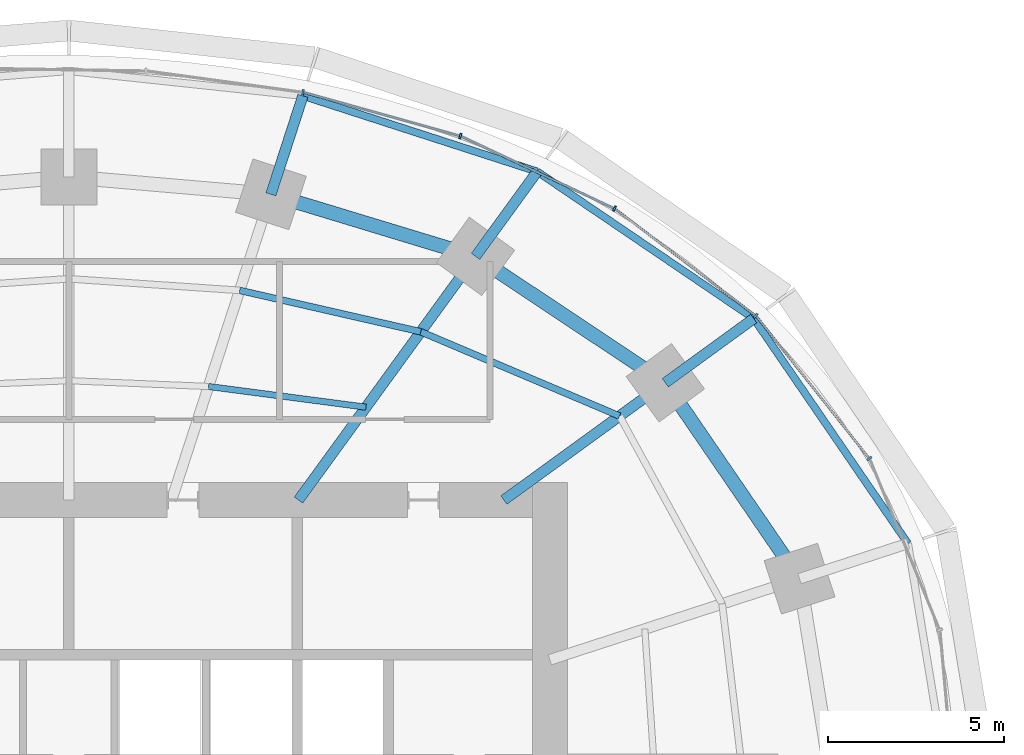
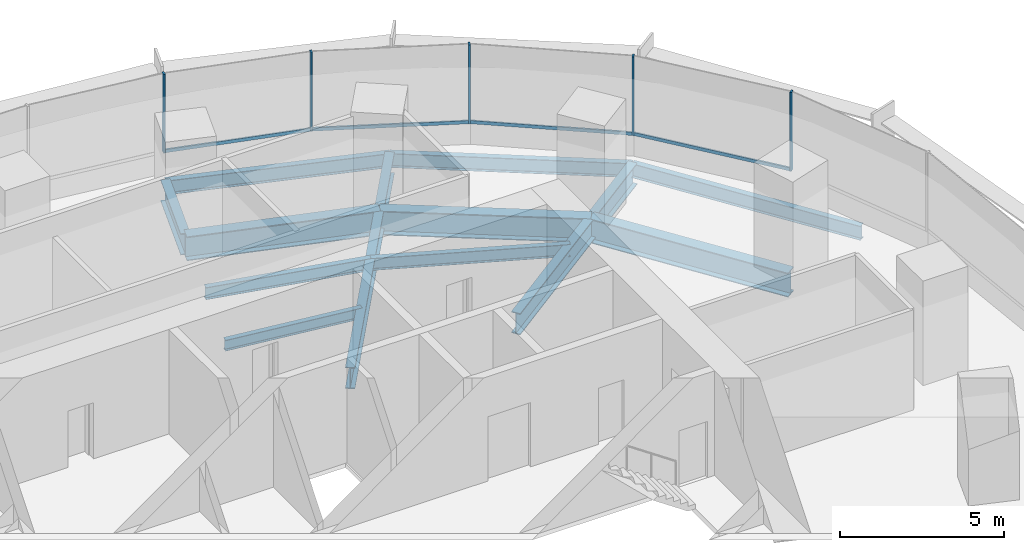
# One storey, part 8 of 14: 14 beams, 9 members, 2 elements without a shape of their own.
"""IFC4 building model written with IfcOpenShell, lengths in metres."""

from ifc_helpers import new_model, si_unit, direction, frame, origin, origin_2d, place, context, subcontext, project, spatial, rectangle, i_section, extrude, material, material_profile, profile_set, type_object, element, aggregate, save


model = new_model("IFC4")

# Units and contexts
model_context = context("Model", 3, precision=1e-05, world=origin(), true_north=direction((0.0, 1.0)))
body_context = subcontext(model_context, "Body", "Model", "MODEL_VIEW")
ifc_project = project(units=[si_unit("LENGTHUNIT", "METRE"), si_unit("AREAUNIT", "SQUARE_METRE"), si_unit("VOLUMEUNIT", "CUBIC_METRE"), si_unit("PLANEANGLEUNIT", "RADIAN"), si_unit("MASSUNIT", "GRAM", prefix="KILO")], contexts=[model_context])

# Site, building, storey
site_placement = place(None, origin())
site = spatial("IfcSite", under=ifc_project, at=site_placement, CompositionType="ELEMENT")
building_placement = place(site_placement, origin())
building = spatial("IfcBuilding", under=site, at=building_placement, Name="Marramba Exchange Tower", CompositionType="ELEMENT")
storey_placement = place(building_placement, frame((0.0, 0.0, 158.699951171875)))
storey = spatial("IfcBuildingStorey", under=building, at=storey_placement, Name="L38", CompositionType="ELEMENT", Elevation=158.699951171875)

# Beams
ifc_material_1 = material(Name="Steel AS/NZS 3679.2 grade 300", Category="steel")
ifc_material_profile_1 = material_profile(ifc_material_1, i_section(OverallWidth=0.300048828125, OverallDepth=0.800048828125, WebThickness=0.013916015625, FlangeThickness=0.031982421875, at=origin_2d()), Name="800WB192")
ifc_profile_set_1 = profile_set([ifc_material_profile_1], Name="Steel AS/NZS 3679.2 grade 300")
beam_type_1 = type_object("IfcBeamType", Name="Cantilever girder 800WB192", PredefinedType="BEAM", material=ifc_profile_set_1)
beam_1_placement = place(storey_placement, frame((16.98583984375, 12.3408203125, -0.56005859375), z_axis=(0.809013970709, 0.58778941399, 0.0), x_axis=(-0.58778941399, 0.809013970709, 0.0)))
element("IfcBeam", 1, at=beam_1_placement, inside=storey, type_object=beam_type_1, Name="Cantilever girder L38 TC03", PredefinedType="BEAM", context=body_context, shape_type="SweptSolid", body=[
    extrude(i_section(OverallWidth=0.300048828125, OverallDepth=0.800048828125, WebThickness=0.013916015625, FlangeThickness=0.031982421875, at=origin_2d()), origin(), (0.0, 0.0, 1.0), 3.1142578125),
])
beam_2_placement = place(storey_placement, frame((11.581298828125, 15.9404296875, -0.56005859375), z_axis=(0.587821738214, 0.808990484544, 0.0), x_axis=(-0.808990484544, 0.587821738214, 0.0)))
element("IfcBeam", 2, at=beam_2_placement, inside=storey, type_object=beam_type_1, Name="Cantilever girder L38 TC04", PredefinedType="BEAM", context=body_context, shape_type="SweptSolid", body=[
    extrude(i_section(OverallWidth=0.300048828125, OverallDepth=0.800048828125, WebThickness=0.013916015625, FlangeThickness=0.031982421875, at=origin_2d()), origin(), (0.0, 0.0, 1.0), 2.987060546875),
])
beam_3_placement = place(storey_placement, frame((5.75390625, 17.70849609375, -0.56005859375), z_axis=(0.309018704887, 0.951055960514, 0.0), x_axis=(-0.951055960514, 0.309018704887, 0.0)))
element("IfcBeam", 3, at=beam_3_placement, inside=storey, type_object=beam_type_1, Name="Cantilever girder L38 TC05", PredefinedType="BEAM", context=body_context, shape_type="SweptSolid", body=[
    extrude(i_section(OverallWidth=0.300048828125, OverallDepth=0.800048828125, WebThickness=0.013916015625, FlangeThickness=0.031982421875, at=origin_2d()), origin(), (0.0, 0.0, 1.0), 2.949951171875),
])
ifc_material_2 = material(Name="Steel AS/NZS 3679.1 grade 300", Category="steel")
ifc_material_profile_2 = material_profile(ifc_material_2, i_section(OverallWidth=0.177978515625, OverallDepth=0.406005859375, WebThickness=0.0078125, FlangeThickness=0.0126953125, FilletRadius=0.011474609375, at=origin_2d()), Name="410UB59.7")
ifc_profile_set_2 = profile_set([ifc_material_profile_2], Name="Steel AS/NZS 3679.1 grade 300")
beam_type_2 = type_object("IfcBeamType", Name="Floor joist 410UB59.7", PredefinedType="JOIST", material=ifc_profile_set_2)
beam_4_placement = place(storey_placement, frame((8.4619140625, 11.646728515625, -0.363037109375), z_axis=(-0.991480538255, 0.130254912618, 0.0), x_axis=(-0.130254912618, -0.991480538255, 0.0)))
element("IfcBeam", 4, at=beam_4_placement, inside=storey, type_object=beam_type_2, Name="Joist L38 bay 04 row 1", PredefinedType="JOIST", context=body_context, shape_type="SweptSolid", body=[
    extrude(i_section(OverallWidth=0.177978515625, OverallDepth=0.406005859375, WebThickness=0.0078125, FlangeThickness=0.0126953125, FilletRadius=0.011474609375, at=origin_2d()), origin(), (0.0, 0.0, 1.0), 4.524658203125),
])
ifc_material_profile_3 = material_profile(ifc_material_2, i_section(OverallWidth=0.18994140625, OverallDepth=0.4541015625, WebThickness=0.008544921875, FlangeThickness=0.0126953125, FilletRadius=0.011474609375, at=origin_2d()), Name="460UB67.1")
ifc_profile_set_3 = profile_set([ifc_material_profile_3], Name="Steel AS/NZS 3679.1 grade 300")
beam_type_3 = type_object("IfcBeamType", Name="Floor joist 460UB67.1", PredefinedType="JOIST", material=ifc_profile_set_3)
beam_5_placement = place(storey_placement, frame((15.682373046875, 11.393798828125, -0.386962890625), z_axis=(-0.920674336375, 0.390331610738, 0.0), x_axis=(-0.390331610738, -0.920674336375, 0.0)))
element("IfcBeam", 5, at=beam_5_placement, inside=storey, type_object=beam_type_3, Name="Joist L38 bay 03 row 2", PredefinedType="JOIST", context=body_context, shape_type="SweptSolid", body=[
    extrude(i_section(OverallWidth=0.18994140625, OverallDepth=0.4541015625, WebThickness=0.008544921875, FlangeThickness=0.0126953125, FilletRadius=0.011474609375, at=origin_2d()), origin(), (0.0, 0.0, 1.0), 6.1484375),
])
beam_6_placement = place(storey_placement, frame((10.021728515625, 13.793701171875, -0.386962890625), z_axis=(-0.974859652292, 0.222819788916, 0.0), x_axis=(-0.222819788916, -0.974859652292, 0.0)))
element("IfcBeam", 6, at=beam_6_placement, inside=storey, type_object=beam_type_3, Name="Joist L38 bay 04 row 2", PredefinedType="JOIST", context=body_context, shape_type="SweptSolid", body=[
    extrude(i_section(OverallWidth=0.18994140625, OverallDepth=0.4541015625, WebThickness=0.008544921875, FlangeThickness=0.0126953125, FilletRadius=0.011474609375, at=origin_2d()), origin(), (0.0, 0.0, 1.0), 5.2900390625),
])

# Curtain wall, members
ifc_material_3 = material(Name="Aluminium framing, bronze anodised", Category="aluminium")
curtain_wall_type = type_object("IfcCurtainWallType", Name="Office ribbon curtain wall", PredefinedType="USERDEFINED", material=ifc_material_3)
curtain_wall_1_placement = place(storey_placement, origin())
curtain_wall_1 = element("IfcCurtainWall", 7, at=curtain_wall_1_placement, inside=storey, type_object=curtain_wall_type, Name="Curtain wall CW4 L38 F01-F05", ObjectType="RIBBON CURTAIN WALL", PredefinedType="USERDEFINED")
ifc_material_4 = material(Name="Aluminium mullion, bronze anodised", Category="aluminium")
ifc_material_profile_4 = material_profile(ifc_material_4, rectangle(XDim=0.159912109375, YDim=0.06005859375, at=origin_2d()), Name="CW4 mullion 60x160")
ifc_profile_set_4 = profile_set([ifc_material_profile_4], Name="Aluminium mullion, bronze anodised")
member_type_1 = type_object("IfcMemberType", Name="Office ribbon curtain wall mullion", PredefinedType="MULLION", material=ifc_profile_set_4)
member_1_placement = place(storey_placement, frame((22.796630859375, 10.181640625, 0.800048828125), z_axis=(0.0, 0.0, 1.0), x_axis=(-0.783563266703, -0.621312004611, 0.0)))
member_1 = element("IfcMember", 8, at=member_1_placement, type_object=member_type_1, Name="CW4 mullion 1", PredefinedType="MULLION", context=body_context, shape_type="SweptSolid", body=[
    extrude(rectangle(XDim=0.159912109375, YDim=0.06005859375, at=origin_2d()), origin(), (0.0, 0.0, 1.0), 2.93994140625),
])
member_2_placement = place(storey_placement, frame((19.5625, 14.24853515625, 0.800048828125), z_axis=(0.0, 0.0, 1.0), x_axis=(-0.60533377223, -0.795971748366, 0.0)))
member_2 = element("IfcMember", 9, at=member_2_placement, type_object=member_type_1, Name="CW4 mullion 1", PredefinedType="MULLION", context=body_context, shape_type="SweptSolid", body=[
    extrude(rectangle(XDim=0.159912109375, YDim=0.06005859375, at=origin_2d()), origin(), (0.0, 0.0, 1.0), 2.93994140625),
])
member_3_placement = place(storey_placement, frame((15.538818359375, 17.300537109375, 0.800048828125), z_axis=(0.0, 0.0, 1.0), x_axis=(-0.426678995157, -0.904403137485, 0.0)))
member_3 = element("IfcMember", 10, at=member_3_placement, type_object=member_type_1, Name="CW4 mullion 1", PredefinedType="MULLION", context=body_context, shape_type="SweptSolid", body=[
    extrude(rectangle(XDim=0.159912109375, YDim=0.06005859375, at=origin_2d()), origin(), (0.0, 0.0, 1.0), 2.93994140625),
])

curtain_wall_2_placement = place(storey_placement, origin())
curtain_wall_2 = element("IfcCurtainWall", 11, at=curtain_wall_2_placement, inside=storey, type_object=curtain_wall_type, Name="Curtain wall CW4 L38 F06-F10", ObjectType="RIBBON CURTAIN WALL", PredefinedType="USERDEFINED")
member_4_placement = place(storey_placement, frame((11.147705078125, 19.366455078125, 0.800048828125), z_axis=(0.0, 0.0, 1.0), x_axis=(-0.268865090816, -0.963177845956, 0.0)))
member_4 = element("IfcMember", 12, at=member_4_placement, type_object=member_type_1, Name="CW4 mullion 1", PredefinedType="MULLION", context=body_context, shape_type="SweptSolid", body=[
    extrude(rectangle(XDim=0.159912109375, YDim=0.06005859375, at=origin_2d()), origin(), (0.0, 0.0, 1.0), 2.93994140625),
])
member_5_placement = place(storey_placement, frame((6.66650390625, 20.61328125, 0.800048828125), z_axis=(0.0, 0.0, 1.0), x_axis=(-0.135785837319, -0.990738212841, 0.0)))
member_5 = element("IfcMember", 13, at=member_5_placement, type_object=member_type_1, Name="CW4 mullion 1", PredefinedType="MULLION", context=body_context, shape_type="SweptSolid", body=[
    extrude(rectangle(XDim=0.159912109375, YDim=0.06005859375, at=origin_2d()), origin(), (0.0, 0.0, 1.0), 2.93994140625),
])

# Member
ifc_material_5 = material(Name="Aluminium transom, bronze anodised", Category="aluminium")
ifc_material_profile_5 = material_profile(ifc_material_5, rectangle(XDim=0.06005859375, YDim=0.1201171875, at=origin_2d()), Name="CW4 transom 60x120")
ifc_profile_set_5 = profile_set([ifc_material_profile_5], Name="Aluminium transom, bronze anodised")
member_type_2 = type_object("IfcMemberType", Name="Office ribbon curtain wall transom", PredefinedType="USERDEFINED", material=ifc_profile_set_5)
member_6_placement = place(storey_placement, frame((22.778076171875, 10.205078125, 0.830078125), z_axis=(-0.621339379472, 0.783541559534, 0.0), x_axis=(-0.783541559534, -0.621339379472, 0.0)))
member_6 = element("IfcMember", 14, at=member_6_placement, type_object=member_type_2, Name="CW4 sill transom", ObjectType="TRANSOM", PredefinedType="USERDEFINED", context=body_context, shape_type="SweptSolid", body=[
    extrude(rectangle(XDim=0.06005859375, YDim=0.1201171875, at=origin_2d()), origin(), (0.0, 0.0, 1.0), 5.13720703125),
])

member_7_placement = place(storey_placement, frame((19.53857421875, 14.2666015625, 0.830078125), z_axis=(-0.7959906025, 0.605308979556, 0.0), x_axis=(-0.605308979556, -0.7959906025, 0.0)))
member_7 = element("IfcMember", 15, at=member_7_placement, type_object=member_type_2, Name="CW4 sill transom", ObjectType="TRANSOM", PredefinedType="USERDEFINED", context=body_context, shape_type="SweptSolid", body=[
    extrude(rectangle(XDim=0.06005859375, YDim=0.1201171875, at=origin_2d()), origin(), (0.0, 0.0, 1.0), 4.99072265625),
])

member_8_placement = place(storey_placement, frame((15.51171875, 17.313232421875, 0.830078125), z_axis=(-0.904410826824, 0.426662696193, 0.0), x_axis=(-0.426662696193, -0.904410826824, 0.0)))
member_8 = element("IfcMember", 16, at=member_8_placement, type_object=member_type_2, Name="CW4 sill transom", ObjectType="TRANSOM", PredefinedType="USERDEFINED", context=body_context, shape_type="SweptSolid", body=[
    extrude(rectangle(XDim=0.06005859375, YDim=0.1201171875, at=origin_2d()), origin(), (0.0, 0.0, 1.0), 4.79345703125),
])

aggregate(curtain_wall_1, [member_1, member_6, member_2, member_7, member_3, member_8])

member_9_placement = place(storey_placement, frame((11.118896484375, 19.37451171875, 0.830078125), z_axis=(-0.963173567938, 0.268880415847, 0.0), x_axis=(-0.268880415847, -0.963173567938, 0.0)))
member_9 = element("IfcMember", 17, at=member_9_placement, type_object=member_type_2, Name="CW4 sill transom", ObjectType="TRANSOM", PredefinedType="USERDEFINED", context=body_context, shape_type="SweptSolid", body=[
    extrude(rectangle(XDim=0.06005859375, YDim=0.1201171875, at=origin_2d()), origin(), (0.0, 0.0, 1.0), 4.591796875),
])

aggregate(curtain_wall_2, [member_4, member_9, member_5])

# Beams
ifc_material_profile_6 = material_profile(ifc_material_1, i_section(OverallWidth=0.300048828125, OverallDepth=0.800048828125, WebThickness=0.013916015625, FlangeThickness=0.031982421875, at=origin_2d()), Name="800WB192")
ifc_profile_set_6 = profile_set([ifc_material_profile_6], Name="Steel AS/NZS 3679.2 grade 300")
beam_type_4 = type_object("IfcBeamType", Name="Radial girder 800WB192", PredefinedType="BEAM", material=ifc_profile_set_6)
beam_7_placement = place(storey_placement, frame((12.387451171875, 9.0, -0.56005859375), z_axis=(0.809025746925, 0.587773205252, 0.0), x_axis=(-0.587773205252, 0.809025746925, 0.0)))
element("IfcBeam", 18, at=beam_7_placement, inside=storey, type_object=beam_type_4, Name="Radial girder L38 TC03", PredefinedType="BEAM", context=body_context, shape_type="SweptSolid", body=[
    extrude(i_section(OverallWidth=0.300048828125, OverallDepth=0.800048828125, WebThickness=0.013916015625, FlangeThickness=0.031982421875, at=origin_2d()), origin(), (0.0, 0.0, 1.0), 5.683837890625),
])
beam_8_placement = place(storey_placement, frame((6.538818359375, 9.0, -0.56005859375), z_axis=(0.587782439969, 0.80901903764, 0.0), x_axis=(-0.80901903764, 0.587782439969, 0.0)))
element("IfcBeam", 19, at=beam_8_placement, inside=storey, type_object=beam_type_4, Name="Radial girder L38 TC04", PredefinedType="BEAM", context=body_context, shape_type="SweptSolid", body=[
    extrude(i_section(OverallWidth=0.300048828125, OverallDepth=0.800048828125, WebThickness=0.013916015625, FlangeThickness=0.031982421875, at=origin_2d()), origin(), (0.0, 0.0, 1.0), 8.578857421875),
])
ifc_material_profile_7 = material_profile(ifc_material_1, i_section(OverallWidth=0.39990234375, OverallDepth=0.89990234375, WebThickness=0.01611328125, FlangeThickness=0.031982421875, at=origin_2d()), Name="900WB282")
ifc_profile_set_7 = profile_set([ifc_material_profile_7], Name="Steel AS/NZS 3679.2 grade 300")
beam_type_5 = type_object("IfcBeamType", Name="Ring beam 900WB282", PredefinedType="SPANDREL", material=ifc_profile_set_7)
beam_9_placement = place(storey_placement, frame((20.808349609375, 6.760986328125, -0.60986328125), z_axis=(-0.56516002054, 0.824981303535, 0.0), x_axis=(-0.824981303535, -0.56516002054, 0.0)))
element("IfcBeam", 20, at=beam_9_placement, inside=storey, type_object=beam_type_5, Name="Ring beam L38 TC02-TC03", PredefinedType="SPANDREL", context=body_context, shape_type="SweptSolid", body=[
    extrude(i_section(OverallWidth=0.39990234375, OverallDepth=0.89990234375, WebThickness=0.01611328125, FlangeThickness=0.031982421875, at=origin_2d()), origin(), (0.0, 0.0, 1.0), 6.763671875),
])
beam_10_placement = place(storey_placement, frame((16.98583984375, 12.3408203125, -0.60986328125), z_axis=(-0.832293151443, 0.554335737673, 0.0), x_axis=(-0.554335737673, -0.832293151443, 0.0)))
element("IfcBeam", 21, at=beam_10_placement, inside=storey, type_object=beam_type_5, Name="Ring beam L38 TC03-TC04", PredefinedType="SPANDREL", context=body_context, shape_type="SweptSolid", body=[
    extrude(i_section(OverallWidth=0.39990234375, OverallDepth=0.89990234375, WebThickness=0.01611328125, FlangeThickness=0.031982421875, at=origin_2d()), origin(), (0.0, 0.0, 1.0), 6.49365234375),
])
beam_11_placement = place(storey_placement, frame((11.581298828125, 15.9404296875, -0.60986328125), z_axis=(-0.956924542524, 0.290336735387, 0.0), x_axis=(-0.290336735387, -0.956924542524, 0.0)))
element("IfcBeam", 22, at=beam_11_placement, inside=storey, type_object=beam_type_5, Name="Ring beam L38 TC04-TC05", PredefinedType="SPANDREL", context=body_context, shape_type="SweptSolid", body=[
    extrude(i_section(OverallWidth=0.39990234375, OverallDepth=0.89990234375, WebThickness=0.01611328125, FlangeThickness=0.031982421875, at=origin_2d()), origin(), (0.0, 0.0, 1.0), 6.089599609375),
])
ifc_material_profile_8 = material_profile(ifc_material_2, i_section(OverallWidth=0.208984375, OverallDepth=0.528076171875, WebThickness=0.009521484375, FlangeThickness=0.01318359375, FilletRadius=0.013916015625, at=origin_2d()), Name="530UB82.0")
ifc_profile_set_8 = profile_set([ifc_material_profile_8], Name="Steel AS/NZS 3679.1 grade 300")
beam_type_6 = type_object("IfcBeamType", Name="Slab edge beam 530UB82.0", PredefinedType="SPANDREL", material=ifc_profile_set_8)
beam_12_placement = place(storey_placement, frame((23.89501953125, 7.763916015625, -0.424072265625), z_axis=(-0.56517400038, 0.824971726361, 0.0), x_axis=(-0.824971726361, -0.56517400038, 0.0)))
element("IfcBeam", 23, at=beam_12_placement, inside=storey, type_object=beam_type_6, Name="Slab edge beam L38 TC02-TC03", PredefinedType="SPANDREL", context=body_context, shape_type="SweptSolid", body=[
    extrude(i_section(OverallWidth=0.208984375, OverallDepth=0.528076171875, WebThickness=0.009521484375, FlangeThickness=0.01318359375, FilletRadius=0.013916015625, at=origin_2d()), origin(), (0.0, 0.0, 1.0), 7.766845703125),
])
beam_13_placement = place(storey_placement, frame((19.50537109375, 14.17138671875, -0.424072265625), z_axis=(-0.827477404833, 0.561499015574, 0.0), x_axis=(-0.561499015574, -0.827477404833, 0.0)))
element("IfcBeam", 24, at=beam_13_placement, inside=storey, type_object=beam_type_6, Name="Slab edge beam L38 TC03-TC04", PredefinedType="SPANDREL", context=body_context, shape_type="SweptSolid", body=[
    extrude(i_section(OverallWidth=0.208984375, OverallDepth=0.528076171875, WebThickness=0.009521484375, FlangeThickness=0.01318359375, FilletRadius=0.013916015625, at=origin_2d()), origin(), (0.0, 0.0, 1.0), 7.454345703125),
])
beam_14_placement = place(storey_placement, frame((13.337158203125, 18.35693359375, -0.424072265625), z_axis=(-0.951496392577, 0.307659901373, 0.0), x_axis=(-0.307659901373, -0.951496392577, 0.0)))
element("IfcBeam", 25, at=beam_14_placement, inside=storey, type_object=beam_type_6, Name="Slab edge beam L38 TC04-TC05", PredefinedType="SPANDREL", context=body_context, shape_type="SweptSolid", body=[
    extrude(i_section(OverallWidth=0.208984375, OverallDepth=0.528076171875, WebThickness=0.009521484375, FlangeThickness=0.01318359375, FilletRadius=0.013916015625, at=origin_2d()), origin(), (0.0, 0.0, 1.0), 7.01171875),
])

save(model, "model.ifc")
